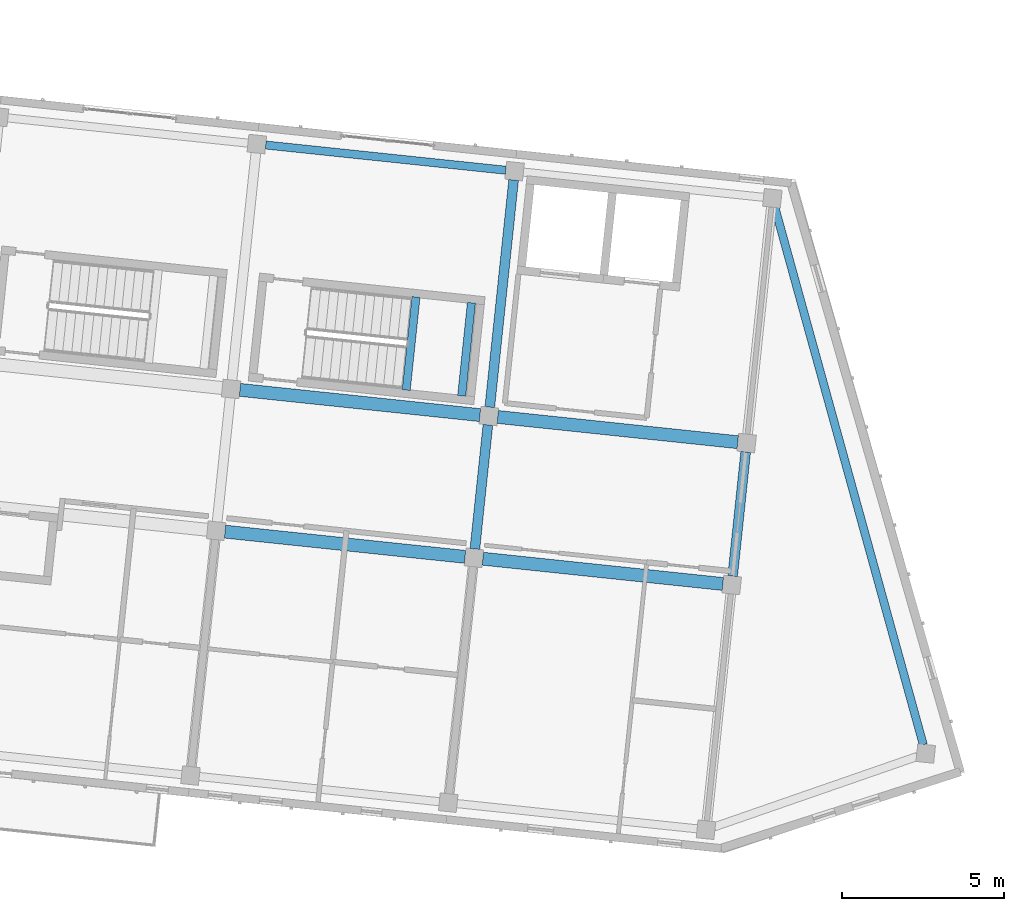
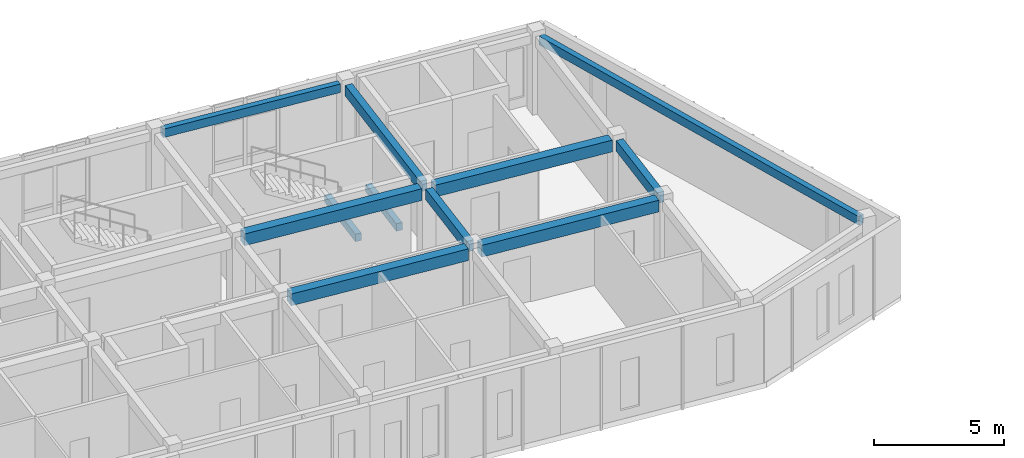
# One storey, part 63 of 150: 11 beams.
"""IFC4 building model written with IfcOpenShell, lengths in metres."""

import ifcopenshell
import ifcopenshell.guid

model = None  # the IFC model being written
_history = None  # IfcOwnerHistory: only IFC2X3 demands one
_inside = {}  # id of a spatial element -> (the spatial element, [elements in it])
_under = {}  # id of a project, library or spatial element -> (it, [spatial elements below it])
_declared = {}  # id of a project -> (the project, [libraries it declares])
_typed = {}  # id of a type object -> (the type object, [elements of that type])
_made_of = {}  # id of a material, layer set ... -> (it, [elements and type objects made of it])


def new_model(schema):
    """Start an empty IFC model of exactly this schema.

    Asked for "IFC4X3", IfcOpenShell would pick the latest addendum, in which some entities
    have other attributes; the version numbers below select the first issue.
    IFC2X3 requires an IfcOwnerHistory on every rooted entity: one is made here for all.
    """
    global model, _history
    if schema == "IFC4X3":
        model = ifcopenshell.file(schema_version=(4, 3, 0, 0))
    else:
        model = ifcopenshell.file(schema=schema)
    _inside.clear()
    _under.clear()
    _declared.clear()
    _typed.clear()
    _made_of.clear()
    _history = None
    if model.schema == "IFC2X3":
        org = make("IfcOrganization", Name="unknown")
        user = make(
            "IfcPersonAndOrganization",
            ThePerson=make("IfcPerson", FamilyName="unknown"),
            TheOrganization=org,
        )
        app = make(
            "IfcApplication",
            ApplicationDeveloper=org,
            Version="unknown",
            ApplicationFullName="unknown",
            ApplicationIdentifier="unknown",
        )
        _history = make(
            "IfcOwnerHistory",
            OwningUser=user,
            OwningApplication=app,
            ChangeAction="ADDED",
            CreationDate=0,
        )
    return model


def make(cls, **values):
    """One entity of the class cls with the attributes given. An attribute that is None is left unset."""
    return model.create_entity(
        cls, **{name: value for name, value in values.items() if value is not None}
    )


def rooted(cls, **values):
    """An entity with a GlobalId (a new one), such as an element, a storey or a relation."""
    return make(cls, GlobalId=ifcopenshell.guid.new(), OwnerHistory=_history, **values)


def si_unit(unit_type, name, prefix=None):
    """IfcSIUnit, for example si_unit("LENGTHUNIT", "METRE", prefix="MILLI")."""
    return make("IfcSIUnit", UnitType=unit_type, Prefix=prefix, Name=name)


def assignment(units):
    """IfcUnitAssignment: the units of a project."""
    return None if units is None else make("IfcUnitAssignment", Units=units)


def point(xyz):
    """IfcCartesianPoint."""
    return None if xyz is None else make("IfcCartesianPoint", Coordinates=xyz)


def direction(xyz):
    """IfcDirection."""
    return None if xyz is None else make("IfcDirection", DirectionRatios=xyz)


def frame(location, z_axis=None, x_axis=None):
    """IfcAxis2Placement3D, a coordinate frame: its origin and axes. An axis left out is left unset."""
    return make(
        "IfcAxis2Placement3D",
        Location=point(location),
        Axis=direction(z_axis),
        RefDirection=direction(x_axis),
    )


def frame_2d(location, x_axis=None):
    """IfcAxis2Placement2D, a coordinate frame in the plane: its origin and x axis."""
    return make(
        "IfcAxis2Placement2D", Location=point(location), RefDirection=direction(x_axis)
    )


def origin():
    """The frame at (0, 0, 0) with its axes left unset."""
    return frame((0.0, 0.0, 0.0))


def origin_2d():
    """The frame at (0, 0) in the plane with its x axis left unset."""
    return frame_2d((0.0, 0.0))


def place(relative_to, where):
    """IfcLocalPlacement: puts the frame where relative to a parent placement (None: the world)."""
    return make(
        "IfcLocalPlacement", PlacementRelTo=relative_to, RelativePlacement=where
    )


def context(
    kind, dimensions, precision=None, world=None, true_north=None, identifier=None
):
    """IfcGeometricRepresentationContext, for example the 3D "Model" context."""
    return make(
        "IfcGeometricRepresentationContext",
        ContextIdentifier=identifier,
        ContextType=kind,
        CoordinateSpaceDimension=dimensions,
        Precision=precision,
        WorldCoordinateSystem=world,
        TrueNorth=true_north,
    )


def subcontext(parent, identifier, kind, view, scale=None):
    """IfcGeometricRepresentationSubContext, for example "Body" below "Model"."""
    return make(
        "IfcGeometricRepresentationSubContext",
        ContextIdentifier=identifier,
        ContextType=kind,
        ParentContext=parent,
        TargetScale=scale,
        TargetView=view,
    )


def project(units=None, contexts=None):
    """IfcProject with its units and contexts."""
    return rooted(
        "IfcProject",
        Name="project",
        RepresentationContexts=contexts,
        UnitsInContext=assignment(units),
    )


def spatial(cls, under=None, at=None, **own):
    """A site, building, storey or space (cls), placed at a placement, below another one or the project."""
    s = rooted(cls, ObjectPlacement=at, **own)
    if under is not None:
        _under.setdefault(under.id(), (under, []))[1].append(s)
    return s


def profile(cls, at=None, kind="AREA", **sizes):
    """A parametric profile (cls). Its sizes go by their IFC names, for example OverallWidth=200.0."""
    return make(cls, ProfileType=kind, Position=at, **sizes)


def rectangle(**sizes):
    """IfcRectangleProfileDef."""
    return profile("IfcRectangleProfileDef", **sizes)


def extrude(swept, where, along, depth):
    """IfcExtrudedAreaSolid: the profile swept, set in the frame where, extruded along a direction by depth."""
    return make(
        "IfcExtrudedAreaSolid",
        SweptArea=swept,
        Position=where,
        ExtrudedDirection=direction(along),
        Depth=depth,
    )


def shape(context_of_items, identifier, shape_type, items):
    """IfcShapeRepresentation: the items that make up one representation, for example the "Body"."""
    return make(
        "IfcShapeRepresentation",
        ContextOfItems=context_of_items,
        RepresentationIdentifier=identifier,
        RepresentationType=shape_type,
        Items=items,
    )


def material(Name=None, Category=None):
    """IfcMaterial."""
    return make("IfcMaterial", Name=Name, Category=Category)


def material_profile(
    of_material, cross_section, Name=None, Category=None, Priority=None
):
    """IfcMaterialProfile: a cross section and its material."""
    return make(
        "IfcMaterialProfile",
        Name=Name,
        Material=of_material,
        Profile=cross_section,
        Priority=Priority,
        Category=Category,
    )


def profile_set(profiles, Name=None, composite=None):
    """IfcMaterialProfileSet."""
    return make(
        "IfcMaterialProfileSet",
        Name=Name,
        MaterialProfiles=profiles,
        CompositeProfile=composite,
    )


def made_of(thing, what):
    """Note that an element or type object is made of a material, layer set ...; save() writes the relation."""
    if what is not None:
        _made_of.setdefault(what.id(), (what, []))[1].append(thing)
    return thing


def type_object(cls, material=None, **own):
    """A type object (cls), such as IfcWallType, which elements share."""
    return made_of(rooted(cls, **own), material)


def element(
    cls,
    number,
    at=None,
    inside=None,
    cuts=None,
    type_object=None,
    material=None,
    context=None,
    identifier="Body",
    shape_type=None,
    held_by="IfcProductDefinitionShape",
    body=None,
    shapes=None,
    **own,
):
    """One element of the class cls, such as IfcWall. Its Tag is "e" and its number.

    at: its placement. inside: the storey or other place that contains it. cuts: it is an
    opening in that element (IfcRelVoidsElement). A single representation is given by context,
    identifier, shape_type and body (its items); several are given by shapes. held_by: the class
    of the entity that holds the representations. save() writes the other relations.
    """
    e = rooted(cls, Tag="e%d" % number, ObjectPlacement=at, **own)
    if body is not None:
        shapes = [shape(context, identifier, shape_type, body)]
    if shapes is not None:
        e.Representation = make(held_by, Representations=shapes)
    if inside is not None:
        _inside.setdefault(inside.id(), (inside, []))[1].append(e)
    if cuts is not None:
        rooted(
            "IfcRelVoidsElement", RelatingBuildingElement=cuts, RelatedOpeningElement=e
        )
    if type_object is not None:
        _typed.setdefault(type_object.id(), (type_object, []))[1].append(e)
    return made_of(e, material)


def aggregate(whole, parts):
    """IfcRelAggregates: a whole, such as a stair, and the parts it consists of."""
    return rooted("IfcRelAggregates", RelatingObject=whole, RelatedObjects=parts)


def save(model, path):
    """Write the relations noted so far, then the file.

    IfcRelAggregates (storeys below a building ...), IfcRelContainedInSpatialStructure (elements
    in a storey), IfcRelDefinesByType, IfcRelAssociatesMaterial and IfcRelDeclares: one each for
    every whole, place, type object, material and project.
    """
    for whole, parts in _under.values():
        aggregate(whole, parts)
    for where, things in _inside.values():
        rooted(
            "IfcRelContainedInSpatialStructure",
            RelatedElements=things,
            RelatingStructure=where,
        )
    for kind, things in _typed.values():
        rooted("IfcRelDefinesByType", RelatedObjects=things, RelatingType=kind)
    for what, things in _made_of.values():
        rooted("IfcRelAssociatesMaterial", RelatedObjects=things, RelatingMaterial=what)
    for by, libraries in _declared.values():
        rooted("IfcRelDeclares", RelatingContext=by, RelatedDefinitions=libraries)
    model.write(path)


model = new_model("IFC4")

# Units and contexts
model_context = context("Model", 3, precision=1e-05, world=origin(), true_north=direction((0.0, 1.0)))
body_context = subcontext(model_context, "Body", "Model", "MODEL_VIEW")
ifc_project = project(units=[si_unit("LENGTHUNIT", "METRE"), si_unit("AREAUNIT", "SQUARE_METRE"), si_unit("VOLUMEUNIT", "CUBIC_METRE"), si_unit("PLANEANGLEUNIT", "RADIAN"), si_unit("MASSUNIT", "GRAM", prefix="KILO")], contexts=[model_context])

# Site, building, storey
site_placement = place(None, origin())
site = spatial("IfcSite", under=ifc_project, at=site_placement, CompositionType="ELEMENT")
building_placement = place(site_placement, origin())
building = spatial("IfcBuilding", under=site, at=building_placement, Name="Kestramere Prow Commons", CompositionType="ELEMENT")
storey_placement = place(building_placement, frame((0.0, 0.0, 4.5)))
storey = spatial("IfcBuildingStorey", under=building, at=storey_placement, Name="L01", CompositionType="ELEMENT", Elevation=4.5)

# Beams
ifc_material_1 = material(Name="Precast concrete C40/50", Category="concrete")
ifc_material_profile_1 = material_profile(ifc_material_1, rectangle(XDim=0.39990234375, YDim=0.550048828125, at=origin_2d()), Name="PC-BM 400x550")
ifc_profile_set_1 = profile_set([ifc_material_profile_1], Name="Precast concrete C40/50")
beam_type_1 = type_object("IfcBeamType", Name="BM-B1 PC-BM 400x550", PredefinedType="BEAM", material=ifc_profile_set_1)
for number, where, z_axis, x_axis, name in (
    (1, (142.892578125, 98.984619140625, 3.375), (0.994524291149, -0.104505666419, 0.0), (0.104505666419, 0.994524291149, 0.0), "Block B L01 Longitudinal Beam 2-5"),
    (2, (150.848876953125, 98.1484375, 3.375), (0.994520884665, -0.104538079019, 0.0), (0.104538079019, 0.994520884665, 0.0), "Block B L01 Longitudinal Beam 2-6"),
    (3, (143.3525390625, 103.360595703125, 3.375), (0.994520884665, -0.104538079019, 0.0), (0.104538079019, 0.994520884665, 0.0), "Block B L01 Longitudinal Beam 3-5"),
):
    element("IfcBeam", number, at=place(storey_placement, frame(where, z_axis=z_axis, x_axis=x_axis)), inside=storey, type_object=beam_type_1, Name=name, PredefinedType="BEAM", context=body_context, shape_type="SweptSolid", body=[
        extrude(rectangle(XDim=0.39990234375, YDim=0.550048828125, at=origin_2d()), origin(), (0.0, 0.0, 1.0), 7.449951171875),
    ])
beam_1_placement = place(storey_placement, frame((151.30859375, 102.5244140625, 3.375), z_axis=(0.994521242771, -0.104534672129, 0.0), x_axis=(0.104534672129, 0.994521242771, 0.0)))
element("IfcBeam", 4, at=beam_1_placement, inside=storey, type_object=beam_type_1, Name="Block B L01 Longitudinal Beam 3-6", PredefinedType="BEAM", context=body_context, shape_type="SweptSolid", body=[
    extrude(rectangle(XDim=0.39990234375, YDim=0.550048828125, at=origin_2d()), origin(), (0.0, 0.0, 1.0), 7.4501953125),
])
ifc_material_2 = material(Name="Concrete C40/50", Category="concrete")
ifc_material_profile_2 = material_profile(ifc_material_2, rectangle(XDim=0.25, YDim=0.35009765625, at=origin_2d()), Name="PC-BM 250x350")
ifc_profile_set_2 = profile_set([ifc_material_profile_2], Name="Concrete C40/50")
beam_type_2 = type_object("IfcBeamType", Name="BM-ST-TRIM", PredefinedType="BEAM", material=ifc_profile_set_2)
for number, where, z_axis, x_axis, name in (
    (5, (148.48486328125, 103.35400390625, 1.574951171875), (0.104579248847, 0.994516556278, 0.0), (-0.994516556278, 0.104579248847, 0.0), "ST-B2 L01 Landing Trimmer Beam 1A"),
    (6, (150.195556640625, 103.17431640625, 1.574951171875), (0.104495697268, 0.994525338668, 0.0), (-0.994525338668, 0.104495697268, 0.0), "ST-B2 L01 Landing Trimmer Beam 1B"),
):
    element("IfcBeam", number, at=place(storey_placement, frame(where, z_axis=z_axis, x_axis=x_axis)), inside=storey, type_object=beam_type_2, Name=name, PredefinedType="BEAM", context=body_context, shape_type="SweptSolid", body=[
        extrude(rectangle(XDim=0.25, YDim=0.35009765625, at=origin_2d()), origin(), (0.0, 0.0, 1.0), 2.89013671875),
    ])
ifc_material_profile_3 = material_profile(ifc_material_1, rectangle(XDim=0.300048828125, YDim=0.5, at=origin_2d()), Name="PC-BM 300x500")
ifc_profile_set_3 = profile_set([ifc_material_profile_3], Name="Precast concrete C40/50")
beam_type_3 = type_object("IfcBeamType", Name="BM-TIE-01 PC-BM 300x500", PredefinedType="BEAM", material=ifc_profile_set_3)
beam_2_placement = place(storey_placement, frame((150.60400390625, 98.45068359375, 3.39990234375), z_axis=(0.104569249198, 0.994517607749, 0.0), x_axis=(-0.994517607749, 0.104569249198, 0.0)))
element("IfcBeam", 7, at=beam_2_placement, inside=storey, type_object=beam_type_3, Name="Block B L01 Transverse Beam 6-2", PredefinedType="BEAM", context=body_context, shape_type="SweptSolid", body=[
    extrude(rectangle(XDim=0.300048828125, YDim=0.5, at=origin_2d()), origin(), (0.0, 0.0, 1.0), 3.849853515625),
])
beam_3_placement = place(storey_placement, frame((151.06396484375, 102.82666015625, 3.39990234375), z_axis=(0.104515329964, 0.994523275646, 0.0), x_axis=(-0.994523275646, 0.104515329964, 0.0)))
element("IfcBeam", 8, at=beam_3_placement, inside=storey, type_object=beam_type_3, Name="Block B L01 Transverse Beam 6-3", PredefinedType="BEAM", context=body_context, shape_type="SweptSolid", body=[
    extrude(rectangle(XDim=0.300048828125, YDim=0.5, at=origin_2d()), origin(), (0.0, 0.0, 1.0), 7.0498046875),
])
beam_4_placement = place(storey_placement, frame((158.560302734375, 97.614501953125, 3.39990234375), z_axis=(0.104506528251, 0.994524200587, 0.0), x_axis=(-0.994524200587, 0.104506528251, 0.0)))
element("IfcBeam", 9, at=beam_4_placement, inside=storey, type_object=beam_type_3, Name="Block B L01 Transverse Beam 7-2", PredefinedType="BEAM", context=body_context, shape_type="SweptSolid", body=[
    extrude(rectangle(XDim=0.300048828125, YDim=0.5, at=origin_2d()), origin(), (0.0, 0.0, 1.0), 3.849853515625),
])
ifc_material_profile_4 = material_profile(ifc_material_1, rectangle(XDim=0.25, YDim=0.39990234375, at=origin_2d()), Name="PC-SP 250x400")
ifc_profile_set_4 = profile_set([ifc_material_profile_4], Name="Precast concrete C40/50")
beam_type_4 = type_object("IfcBeamType", Name="SP-EXT-01 PC-SP 250x400", PredefinedType="SPANDREL", material=ifc_profile_set_4)
beam_5_placement = place(storey_placement, frame((159.8603515625, 109.00537109375, 3.449951171875), z_axis=(0.266276973363, -0.963896557446, 0.0), x_axis=(0.963896557446, 0.266276973363, 0.0)))
element("IfcBeam", 10, at=beam_5_placement, inside=storey, type_object=beam_type_4, Name="Block B L01 Prow Facet Beam N", PredefinedType="SPANDREL", context=body_context, shape_type="SweptSolid", body=[
    extrude(rectangle(XDim=0.25, YDim=0.39990234375, at=origin_2d()), origin(), (0.0, 0.0, 1.0), 17.220703125),
])
beam_6_placement = place(storey_placement, frame((144.14697265625, 110.9189453125, 3.449951171875), z_axis=(0.994520884665, -0.104538079019, 0.0), x_axis=(0.104538079019, 0.994520884665, 0.0)))
element("IfcBeam", 11, at=beam_6_placement, inside=storey, type_object=beam_type_4, Name="Block B L01 Longitudinal Beam 4-5", PredefinedType="SPANDREL", context=body_context, shape_type="SweptSolid", body=[
    extrude(rectangle(XDim=0.25, YDim=0.39990234375, at=origin_2d()), origin(), (0.0, 0.0, 1.0), 7.449951171875),
])

save(model, "model.ifc")
